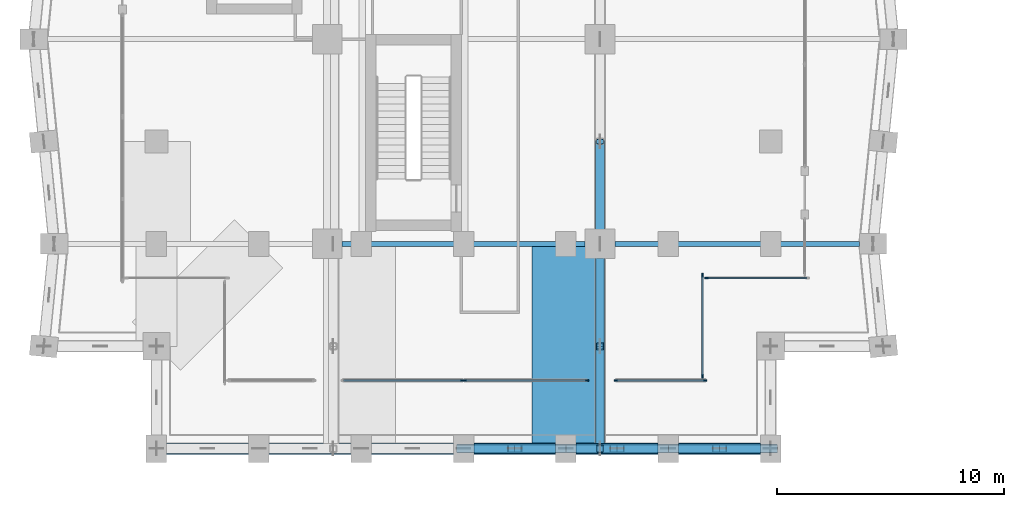
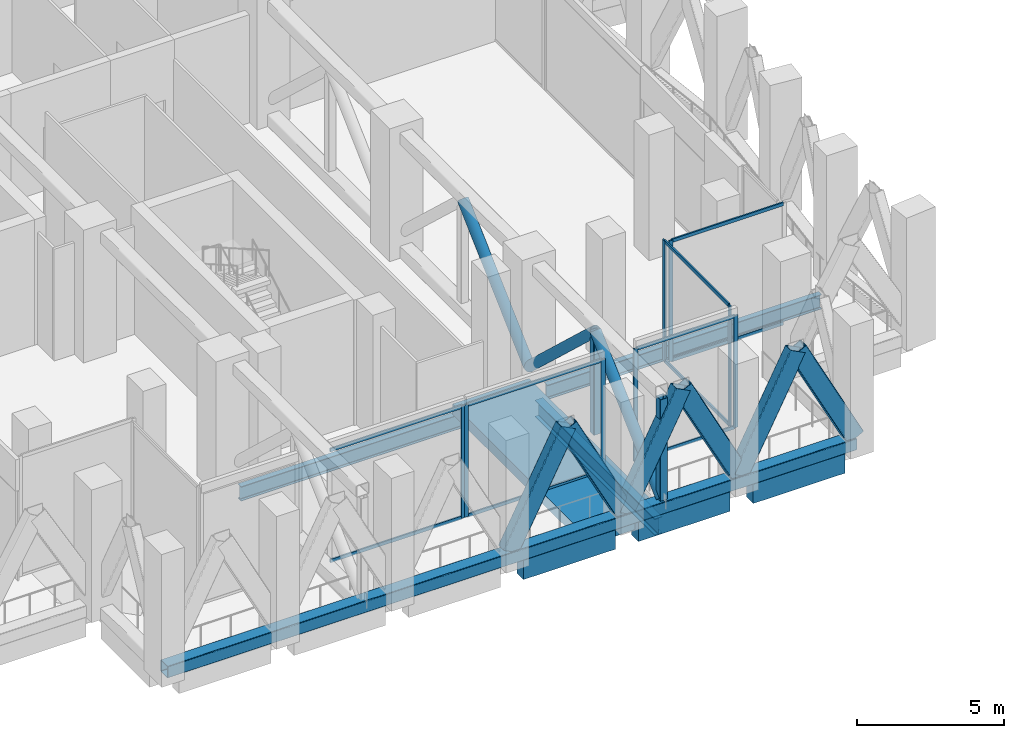
# One storey, part 3 of 37: 30 members, 7 beams, 5 elements without a shape of their own.
"""IFC4 building model written with IfcOpenShell, lengths in metres."""

from ifc_helpers import new_model, si_unit, direction, frame, origin, origin_2d, place, context, subcontext, project, spatial, rectangle, hollow_rectangle, hollow_circle, i_section, extrude, material, material_profile, profile_set, type_object, element, aggregate, save


model = new_model("IFC4")

# Units and contexts
model_context = context("Model", 3, precision=1e-05, world=origin(), true_north=direction((0.0, 1.0)))
body_context = subcontext(model_context, "Body", "Model", "MODEL_VIEW")
ifc_project = project(units=[si_unit("LENGTHUNIT", "METRE"), si_unit("AREAUNIT", "SQUARE_METRE"), si_unit("VOLUMEUNIT", "CUBIC_METRE"), si_unit("PLANEANGLEUNIT", "RADIAN"), si_unit("MASSUNIT", "GRAM", prefix="KILO")], contexts=[model_context])

# Site, building, storey
site_placement = place(None, origin())
site = spatial("IfcSite", under=ifc_project, at=site_placement, CompositionType="ELEMENT")
building_placement = place(site_placement, origin())
building = spatial("IfcBuilding", under=site, at=building_placement, Name="Brondeck Convention Tower", CompositionType="ELEMENT")
storey_placement = place(building_placement, frame((0.0, 0.0, 137.89990234375)))
storey = spatial("IfcBuildingStorey", under=building, at=storey_placement, Name="L33", CompositionType="ELEMENT", Elevation=137.89990234375)

# Beam
ifc_material_1 = material(Name="Concrete C70/85", Category="concrete")
ifc_material_profile_1 = material_profile(ifc_material_1, rectangle(XDim=3.0, YDim=0.43994140625, at=origin_2d()), Name="Band beam 3000x440 Concrete C70/85")
ifc_profile_set_1 = profile_set([ifc_material_profile_1], Name="Concrete C70/85")
beam_type_1 = type_object("IfcBeamType", Name="Band beam 3000x440 Concrete C70/85", PredefinedType="BEAM", material=ifc_profile_set_1)
beam_1_placement = place(storey_placement, frame((22.5, 9.0, -0.219970703125), z_axis=(0.0, -1.0, 0.0), x_axis=(1.0, 0.0, 0.0)))
element("IfcBeam", 1, at=beam_1_placement, inside=storey, type_object=beam_type_1, Name="Band beam L33-23", PredefinedType="BEAM", context=body_context, shape_type="SweptSolid", body=[
    extrude(rectangle(XDim=3.0, YDim=0.43994140625, at=origin_2d()), origin(), (0.0, 0.0, 1.0), 9.0),
])

# Curtain wall, member
ifc_material_2 = material(Name="Aluminium, bronze anodised", Category="aluminium")
curtain_wall_type = type_object("IfcCurtainWallType", Name="Sky lobby curtain wall", PredefinedType="NOTDEFINED", material=ifc_material_2)
curtain_wall_1_placement = place(storey_placement, origin())
curtain_wall_1 = element("IfcCurtainWall", 2, at=curtain_wall_1_placement, inside=storey, type_object=curtain_wall_type, Name="ENV-L33-004-CW30", PredefinedType="NOTDEFINED")
ifc_material_profile_2 = material_profile(ifc_material_2, rectangle(XDim=0.06005859375, YDim=0.159912109375, at=origin_2d()), Name="CW3 mullion")
ifc_profile_set_2 = profile_set([ifc_material_profile_2], Name="Aluminium, bronze anodised")
member_type_1 = type_object("IfcMemberType", Name="CW3 mullion", PredefinedType="MULLION", material=ifc_profile_set_2)
member_1_placement = place(storey_placement, frame((17.93994140625, 3.0, 0.0), z_axis=(0.0, 0.0, 1.0), x_axis=(0.0, -1.0, 0.0)))
member_1 = element("IfcMember", 3, at=member_1_placement, type_object=member_type_1, Name="CW3 mullion 1", PredefinedType="MULLION", context=body_context, shape_type="SweptSolid", body=[
    extrude(rectangle(XDim=0.06005859375, YDim=0.159912109375, at=origin_2d()), origin(), (0.0, 0.0, 1.0), 4.650146484375),
])

# Curtain wall, members
curtain_wall_2_placement = place(storey_placement, origin())
curtain_wall_2 = element("IfcCurtainWall", 4, at=curtain_wall_2_placement, inside=storey, type_object=curtain_wall_type, Name="ENV-L33-004-CW31", PredefinedType="NOTDEFINED")
member_2_placement = place(storey_placement, frame((23.419921875, 3.0, 0.0), z_axis=(0.0, 0.0, 1.0), x_axis=(0.0, -1.0, 0.0)))
member_2 = element("IfcMember", 5, at=member_2_placement, type_object=member_type_1, Name="CW3 mullion 1", PredefinedType="MULLION", context=body_context, shape_type="SweptSolid", body=[
    extrude(rectangle(XDim=0.06005859375, YDim=0.159912109375, at=origin_2d()), origin(), (0.0, 0.0, 1.0), 4.650146484375),
])
member_3_placement = place(storey_placement, frame((18.06005859375, 3.0, 0.0), z_axis=(0.0, 0.0, 1.0), x_axis=(0.0, -1.0, 0.0)))
member_3 = element("IfcMember", 6, at=member_3_placement, type_object=member_type_1, Name="CW3 mullion 2", PredefinedType="MULLION", context=body_context, shape_type="SweptSolid", body=[
    extrude(rectangle(XDim=0.06005859375, YDim=0.159912109375, at=origin_2d()), origin(), (0.0, 0.0, 1.0), 4.650146484375),
])

curtain_wall_3_placement = place(storey_placement, origin())
curtain_wall_3 = element("IfcCurtainWall", 7, at=curtain_wall_3_placement, inside=storey, type_object=curtain_wall_type, Name="ENV-L33-005-CW30", PredefinedType="NOTDEFINED")
member_4_placement = place(storey_placement, frame((28.6201171875, 3.0, 0.0), z_axis=(0.0, 0.0, 1.0), x_axis=(0.0, -1.0, 0.0)))
member_4 = element("IfcMember", 8, at=member_4_placement, type_object=member_type_1, Name="CW3 mullion 1", PredefinedType="MULLION", context=body_context, shape_type="SweptSolid", body=[
    extrude(rectangle(XDim=0.06005859375, YDim=0.159912109375, at=origin_2d()), origin(), (0.0, 0.0, 1.0), 4.650146484375),
])
member_5_placement = place(storey_placement, frame((24.699951171875, 3.0, 0.0), z_axis=(0.0, 0.0, 1.0), x_axis=(0.0, -1.0, 0.0)))
member_5 = element("IfcMember", 9, at=member_5_placement, type_object=member_type_1, Name="CW3 mullion 2", PredefinedType="MULLION", context=body_context, shape_type="SweptSolid", body=[
    extrude(rectangle(XDim=0.06005859375, YDim=0.159912109375, at=origin_2d()), origin(), (0.0, 0.0, 1.0), 4.650146484375),
])

curtain_wall_4_placement = place(storey_placement, origin())
curtain_wall_4 = element("IfcCurtainWall", 10, at=curtain_wall_4_placement, inside=storey, type_object=curtain_wall_type, Name="ENV-L33-006-CW30", PredefinedType="NOTDEFINED")
member_6_placement = place(storey_placement, frame((28.5, 7.6201171875, 0.0), z_axis=(0.0, 0.0, 1.0), x_axis=(1.0, 0.0, 0.0)))
member_6 = element("IfcMember", 11, at=member_6_placement, type_object=member_type_1, Name="CW3 mullion 1", PredefinedType="MULLION", context=body_context, shape_type="SweptSolid", body=[
    extrude(rectangle(XDim=0.06005859375, YDim=0.159912109375, at=origin_2d()), origin(), (0.0, 0.0, 1.0), 5.0),
])
member_7_placement = place(storey_placement, frame((28.5, 3.179931640625, 0.0), z_axis=(0.0, 0.0, 1.0), x_axis=(1.0, 0.0, 0.0)))
member_7 = element("IfcMember", 12, at=member_7_placement, type_object=member_type_1, Name="CW3 mullion 2", PredefinedType="MULLION", context=body_context, shape_type="SweptSolid", body=[
    extrude(rectangle(XDim=0.06005859375, YDim=0.159912109375, at=origin_2d()), origin(), (0.0, 0.0, 1.0), 5.0),
])

# Curtain wall, member
curtain_wall_5_placement = place(storey_placement, origin())
curtain_wall_5 = element("IfcCurtainWall", 13, at=curtain_wall_5_placement, inside=storey, type_object=curtain_wall_type, Name="ENV-L33-007-CW30", PredefinedType="NOTDEFINED")
member_8_placement = place(storey_placement, frame((28.679931640625, 7.5, 0.0), z_axis=(0.0, 0.0, 1.0), x_axis=(0.0, -1.0, 0.0)))
member_8 = element("IfcMember", 14, at=member_8_placement, type_object=member_type_1, Name="CW3 mullion 2", PredefinedType="MULLION", context=body_context, shape_type="SweptSolid", body=[
    extrude(rectangle(XDim=0.06005859375, YDim=0.159912109375, at=origin_2d()), origin(), (0.0, 0.0, 1.0), 5.0),
])

# Member
ifc_material_profile_3 = material_profile(ifc_material_2, rectangle(XDim=0.06005859375, YDim=0.139892578125, at=origin_2d()), Name="CW3 transom")
ifc_profile_set_3 = profile_set([ifc_material_profile_3], Name="Aluminium, bronze anodised")
member_type_2 = type_object("IfcMemberType", Name="CW3 transom", PredefinedType="USERDEFINED", material=ifc_profile_set_3)
member_9_placement = place(storey_placement, frame((17.909912109375, 3.0, 0.030029296875), z_axis=(-1.0, 0.0, 0.0), x_axis=(0.0, -1.0, 0.0)))
member_9 = element("IfcMember", 15, at=member_9_placement, type_object=member_type_2, Name="CW3 transom 1.1", ObjectType="TRANSOM", PredefinedType="USERDEFINED", context=body_context, shape_type="SweptSolid", body=[
    extrude(rectangle(XDim=0.06005859375, YDim=0.139892578125, at=origin_2d()), origin(), (0.0, 0.0, 1.0), 5.179931640625),
])

member_10_placement = place(storey_placement, frame((17.909912109375, 3.0, 4.6201171875), z_axis=(-1.0, 0.0, 0.0), x_axis=(0.0, -1.0, 0.0)))
member_10 = element("IfcMember", 16, at=member_10_placement, type_object=member_type_2, Name="CW3 transom 1.2", ObjectType="TRANSOM", PredefinedType="USERDEFINED", context=body_context, shape_type="SweptSolid", body=[
    extrude(rectangle(XDim=0.06005859375, YDim=0.139892578125, at=origin_2d()), origin(), (0.0, 0.0, 1.0), 5.179931640625),
])

aggregate(curtain_wall_1, [member_1, member_9, member_10])

member_11_placement = place(storey_placement, frame((23.389892578125, 3.0, 0.030029296875), z_axis=(-1.0, 0.0, 0.0), x_axis=(0.0, -1.0, 0.0)))
member_11 = element("IfcMember", 17, at=member_11_placement, type_object=member_type_2, Name="CW3 transom 1.1", ObjectType="TRANSOM", PredefinedType="USERDEFINED", context=body_context, shape_type="SweptSolid", body=[
    extrude(rectangle(XDim=0.06005859375, YDim=0.139892578125, at=origin_2d()), origin(), (0.0, 0.0, 1.0), 5.2998046875),
])

member_12_placement = place(storey_placement, frame((23.389892578125, 3.0, 4.6201171875), z_axis=(-1.0, 0.0, 0.0), x_axis=(0.0, -1.0, 0.0)))
member_12 = element("IfcMember", 18, at=member_12_placement, type_object=member_type_2, Name="CW3 transom 1.2", ObjectType="TRANSOM", PredefinedType="USERDEFINED", context=body_context, shape_type="SweptSolid", body=[
    extrude(rectangle(XDim=0.06005859375, YDim=0.139892578125, at=origin_2d()), origin(), (0.0, 0.0, 1.0), 5.2998046875),
])

aggregate(curtain_wall_2, [member_2, member_3, member_11, member_12])

member_13_placement = place(storey_placement, frame((28.590087890625, 3.0, 0.030029296875), z_axis=(-1.0, 0.0, 0.0), x_axis=(0.0, -1.0, 0.0)))
member_13 = element("IfcMember", 19, at=member_13_placement, type_object=member_type_2, Name="CW3 transom 1.1", ObjectType="TRANSOM", PredefinedType="USERDEFINED", context=body_context, shape_type="SweptSolid", body=[
    extrude(rectangle(XDim=0.06005859375, YDim=0.139892578125, at=origin_2d()), origin(), (0.0, 0.0, 1.0), 3.860107421875),
])

member_14_placement = place(storey_placement, frame((28.590087890625, 3.0, 4.6201171875), z_axis=(-1.0, 0.0, 0.0), x_axis=(0.0, -1.0, 0.0)))
member_14 = element("IfcMember", 20, at=member_14_placement, type_object=member_type_2, Name="CW3 transom 1.2", ObjectType="TRANSOM", PredefinedType="USERDEFINED", context=body_context, shape_type="SweptSolid", body=[
    extrude(rectangle(XDim=0.06005859375, YDim=0.139892578125, at=origin_2d()), origin(), (0.0, 0.0, 1.0), 3.860107421875),
])

aggregate(curtain_wall_3, [member_4, member_5, member_13, member_14])

member_15_placement = place(storey_placement, frame((28.5, 7.590087890625, 0.030029296875), z_axis=(0.0, -1.0, 0.0), x_axis=(1.0, 0.0, 0.0)))
member_15 = element("IfcMember", 21, at=member_15_placement, type_object=member_type_2, Name="CW3 transom 1.1", ObjectType="TRANSOM", PredefinedType="USERDEFINED", context=body_context, shape_type="SweptSolid", body=[
    extrude(rectangle(XDim=0.06005859375, YDim=0.139892578125, at=origin_2d()), origin(), (0.0, 0.0, 1.0), 4.380126953125),
])

member_16_placement = place(storey_placement, frame((28.5, 7.590087890625, 4.97021484375), z_axis=(0.0, -1.0, 0.0), x_axis=(1.0, 0.0, 0.0)))
member_16 = element("IfcMember", 22, at=member_16_placement, type_object=member_type_2, Name="CW3 transom 1.2", ObjectType="TRANSOM", PredefinedType="USERDEFINED", context=body_context, shape_type="SweptSolid", body=[
    extrude(rectangle(XDim=0.06005859375, YDim=0.139892578125, at=origin_2d()), origin(), (0.0, 0.0, 1.0), 4.380126953125),
])

aggregate(curtain_wall_4, [member_6, member_7, member_15, member_16])

member_17_placement = place(storey_placement, frame((33.090087890625, 7.5, 0.030029296875), z_axis=(-1.0, 0.0, 0.0), x_axis=(0.0, -1.0, 0.0)))
member_17 = element("IfcMember", 23, at=member_17_placement, type_object=member_type_2, Name="CW3 transom 1.1", ObjectType="TRANSOM", PredefinedType="USERDEFINED", context=body_context, shape_type="SweptSolid", body=[
    extrude(rectangle(XDim=0.06005859375, YDim=0.139892578125, at=origin_2d()), origin(), (0.0, 0.0, 1.0), 4.380126953125),
])

member_18_placement = place(storey_placement, frame((33.090087890625, 7.5, 4.97021484375), z_axis=(-1.0, 0.0, 0.0), x_axis=(0.0, -1.0, 0.0)))
member_18 = element("IfcMember", 24, at=member_18_placement, type_object=member_type_2, Name="CW3 transom 1.2", ObjectType="TRANSOM", PredefinedType="USERDEFINED", context=body_context, shape_type="SweptSolid", body=[
    extrude(rectangle(XDim=0.06005859375, YDim=0.139892578125, at=origin_2d()), origin(), (0.0, 0.0, 1.0), 4.380126953125),
])

aggregate(curtain_wall_5, [member_8, member_17, member_18])

# Members
ifc_material_3 = material(Name="Steel S460", Category="steel")
ifc_material_profile_4 = material_profile(ifc_material_3, hollow_rectangle(XDim=0.39990234375, YDim=0.699951171875, WallThickness=0.030029296875, InnerFilletRadius=0.030029296875, OuterFilletRadius=0.06005859375, at=origin_2d()), Name="RHS 700x400x30")
ifc_profile_set_4 = profile_set([ifc_material_profile_4], Name="Steel S460")
member_type_3 = type_object("IfcMemberType", Name="Chevron brace RHS 700x400x30", PredefinedType="BRACE", material=ifc_profile_set_4)
for number, where, z_axis, x_axis, name in (
    (25, (18.0, 0.0, 0.5), (0.459414782038, 0.0, 0.888221851817), (0.0, 1.0, 0.0), "Belt truss BT-33-4 diagonal"),
    (26, (22.5, 0.0, 0.5), (-0.459414782038, 0.0, 0.888221851817), (0.0, -1.0, 0.0), "Belt truss BT-33-4 diagonal"),
    (27, (22.5, 0.0, 0.5), (0.459414782038, 0.0, 0.888221851817), (0.0, 1.0, 0.0), "Belt truss BT-33-5 diagonal"),
    (28, (27.0, 0.0, 0.5), (-0.459414782038, 0.0, 0.888221851817), (0.0, -1.0, 0.0), "Belt truss BT-33-5 diagonal"),
    (29, (27.0, 0.0, 0.5), (0.459414782038, 0.0, 0.888221851817), (0.0, 1.0, 0.0), "Belt truss BT-33-6 diagonal"),
    (30, (31.5, 0.0, 0.5), (-0.459414782038, 0.0, 0.888221851817), (0.0, -1.0, 0.0), "Belt truss BT-33-6 diagonal"),
):
    element("IfcMember", number, at=place(storey_placement, frame(where, z_axis=z_axis, x_axis=x_axis)), inside=storey, type_object=member_type_3, Name=name, PredefinedType="BRACE", context=body_context, shape_type="SweptSolid", body=[
        extrude(hollow_rectangle(XDim=0.39990234375, YDim=0.699951171875, WallThickness=0.030029296875, InnerFilletRadius=0.030029296875, OuterFilletRadius=0.06005859375, at=origin_2d()), origin(), (0.0, 0.0, 1.0), 4.8974609375),
    ])

# Beams
ifc_material_4 = material(Name="Steel S355", Category="steel")
ifc_material_profile_5 = material_profile(ifc_material_4, i_section(OverallWidth=0.219970703125, OverallDepth=0.60009765625, WebThickness=0.011962890625, FlangeThickness=0.01904296875, FilletRadius=0.02392578125, at=origin_2d()), Name="IPE 600")
ifc_profile_set_5 = profile_set([ifc_material_profile_5], Name="Steel S355")
beam_type_2 = type_object("IfcBeamType", Name="Floor beam IPE 600", PredefinedType="BEAM", material=ifc_profile_set_5)
beam_2_placement = place(storey_placement, frame((12.64990234375, 9.0, -0.75), z_axis=(1.0, 0.0, 0.0), x_axis=(0.0, 1.0, 0.0)))
element("IfcBeam", 31, at=beam_2_placement, inside=storey, type_object=beam_type_2, Name="STR-FB-L33-010", PredefinedType="BEAM", context=body_context, shape_type="SweptSolid", body=[
    extrude(i_section(OverallWidth=0.219970703125, OverallDepth=0.60009765625, WebThickness=0.011962890625, FlangeThickness=0.01904296875, FilletRadius=0.02392578125, at=origin_2d()), origin(), (0.0, 0.0, 1.0), 10.7001953125),
])
beam_3_placement = place(storey_placement, frame((24.64990234375, 9.0, -0.75), z_axis=(1.0, 0.0, 0.0), x_axis=(0.0, 1.0, 0.0)))
element("IfcBeam", 32, at=beam_3_placement, inside=storey, type_object=beam_type_2, Name="STR-FB-L33-011", PredefinedType="BEAM", context=body_context, shape_type="SweptSolid", body=[
    extrude(i_section(OverallWidth=0.219970703125, OverallDepth=0.60009765625, WebThickness=0.011962890625, FlangeThickness=0.01904296875, FilletRadius=0.02392578125, at=origin_2d()), origin(), (0.0, 0.0, 1.0), 10.75),
])
ifc_material_profile_6 = material_profile(ifc_material_4, i_section(OverallWidth=0.300048828125, OverallDepth=0.699951171875, WebThickness=0.01708984375, FlangeThickness=0.031982421875, FilletRadius=0.027099609375, at=origin_2d()), Name="HEB 700")
ifc_profile_set_6 = profile_set([ifc_material_profile_6], Name="Steel S355")
beam_type_3 = type_object("IfcBeamType", Name="Girder HEB 700", PredefinedType="BEAM", material=ifc_profile_set_6)
beam_4_placement = place(storey_placement, frame((24.0, 8.35009765625, -0.7998046875), z_axis=(0.0, -1.0, 0.0), x_axis=(1.0, 0.0, 0.0)))
element("IfcBeam", 33, at=beam_4_placement, inside=storey, type_object=beam_type_3, Name="STR-GR-L33-020", PredefinedType="BEAM", context=body_context, shape_type="SweptSolid", body=[
    extrude(i_section(OverallWidth=0.300048828125, OverallDepth=0.699951171875, WebThickness=0.01708984375, FlangeThickness=0.031982421875, FilletRadius=0.027099609375, at=origin_2d()), origin(), (0.0, 0.0, 1.0), 8.125),
])
ifc_material_profile_7 = material_profile(ifc_material_1, rectangle(XDim=0.449951171875, YDim=0.800048828125, at=origin_2d()), Name="Precast spandrel 450x800 Concrete C70/85")
ifc_profile_set_7 = profile_set([ifc_material_profile_7], Name="Concrete C70/85")
beam_type_4 = type_object("IfcBeamType", Name="Precast spandrel 450x800 Concrete C70/85", PredefinedType="SPANDREL", material=ifc_profile_set_7)
for number, where, z_axis, x_axis, name in (
    (34, (18.449951171875, 0.0, -0.39990234375), (1.0, 0.0, 0.0), (0.0, 1.0, 0.0), "STR-SP-L33-004"),
    (35, (22.949951171875, 0.0, -0.39990234375), (1.0, 0.0, 0.0), (0.0, 1.0, 0.0), "STR-SP-L33-005"),
    (36, (27.449951171875, 0.0, -0.39990234375), (1.0, 0.0, 0.0), (0.0, 1.0, 0.0), "STR-SP-L33-006"),
):
    element("IfcBeam", number, at=place(storey_placement, frame(where, z_axis=z_axis, x_axis=x_axis)), inside=storey, type_object=beam_type_4, Name=name, PredefinedType="SPANDREL", context=body_context, shape_type="SweptSolid", body=[
        extrude(rectangle(XDim=0.449951171875, YDim=0.800048828125, at=origin_2d()), origin(), (0.0, 0.0, 1.0), 3.60009765625),
    ])

# Members
ifc_material_profile_8 = material_profile(ifc_material_3, hollow_rectangle(XDim=0.5, YDim=0.5, WallThickness=0.02490234375, InnerFilletRadius=0.02490234375, OuterFilletRadius=0.050048828125, at=origin_2d()), Name="RHS 500x500x25")
ifc_profile_set_8 = profile_set([ifc_material_profile_8], Name="Steel S460")
member_type_4 = type_object("IfcMemberType", Name="Truss chord RHS 500x500x25", PredefinedType="CHORD", material=ifc_profile_set_8)
member_19_placement = place(storey_placement, frame((4.5, 0.0, 0.25), z_axis=(1.0, 0.0, 0.0), x_axis=(0.0, 1.0, 0.0)))
element("IfcMember", 37, at=member_19_placement, inside=storey, type_object=member_type_4, Name="Belt truss BT-33-1 chord", PredefinedType="CHORD", context=body_context, shape_type="SweptSolid", body=[
    extrude(hollow_rectangle(XDim=0.5, YDim=0.5, WallThickness=0.02490234375, InnerFilletRadius=0.02490234375, OuterFilletRadius=0.050048828125, at=origin_2d()), origin(), (0.0, 0.0, 1.0), 27.0),
])
ifc_material_profile_9 = material_profile(ifc_material_3, hollow_circle(Radius=0.203125, WallThickness=0.02490234375, at=origin_2d()), Name="CHS 406.4x25")
ifc_profile_set_9 = profile_set([ifc_material_profile_9], Name="Steel S460")
member_type_5 = type_object("IfcMemberType", Name="Truss diagonal CHS 406.4x25", PredefinedType="BRACE", material=ifc_profile_set_9)
for number, where, z_axis, x_axis, name in (
    (38, (24.0, 13.5, 4.7001953125), (0.0, -0.731039441158, -0.682335207557), (1.0, 0.0, 0.0), "Outrigger truss OT-33-B2 diagonal"),
    (39, (24.0, 9.0, 0.5), (0.0, -0.731039441158, 0.682335207557), (1.0, 0.0, 0.0), "Outrigger truss OT-33-B2 diagonal"),
    (40, (24.0, 4.5, 4.7001953125), (0.0, -0.731039441158, -0.682335207557), (1.0, 0.0, 0.0), "Outrigger truss OT-33-B2 diagonal"),
):
    element("IfcMember", number, at=place(storey_placement, frame(where, z_axis=z_axis, x_axis=x_axis)), inside=storey, type_object=member_type_5, Name=name, PredefinedType="BRACE", context=body_context, shape_type="SweptSolid", body=[
        extrude(hollow_circle(Radius=0.203125, WallThickness=0.02490234375, at=origin_2d()), origin(), (0.0, 0.0, 1.0), 6.155517578125),
    ])
ifc_material_profile_10 = material_profile(ifc_material_3, hollow_rectangle(XDim=0.300048828125, YDim=0.300048828125, WallThickness=0.01611328125, InnerFilletRadius=0.01611328125, OuterFilletRadius=0.031982421875, at=origin_2d()), Name="RHS 300x300x16")
ifc_profile_set_10 = profile_set([ifc_material_profile_10], Name="Steel S460")
member_type_6 = type_object("IfcMemberType", Name="Truss vertical RHS 300x300x16", PredefinedType="STRUT", material=ifc_profile_set_10)
for number, where, z_axis, x_axis, name in (
    (41, (24.0, 4.5, 0.5), (0.0, 0.0, 1.0), (1.0, 0.0, 0.0), "Outrigger truss OT-33-B2 vertical"),
    (42, (24.0, 0.0, 0.5), (0.0, 0.0, 1.0), (1.0, 0.0, 0.0), "Outrigger truss OT-33-B2 vertical"),
):
    element("IfcMember", number, at=place(storey_placement, frame(where, z_axis=z_axis, x_axis=x_axis)), inside=storey, type_object=member_type_6, Name=name, PredefinedType="STRUT", context=body_context, shape_type="SweptSolid", body=[
        extrude(hollow_rectangle(XDim=0.300048828125, YDim=0.300048828125, WallThickness=0.01611328125, InnerFilletRadius=0.01611328125, OuterFilletRadius=0.031982421875, at=origin_2d()), origin(), (0.0, 0.0, 1.0), 4.2001953125),
    ])

save(model, "model.ifc")
